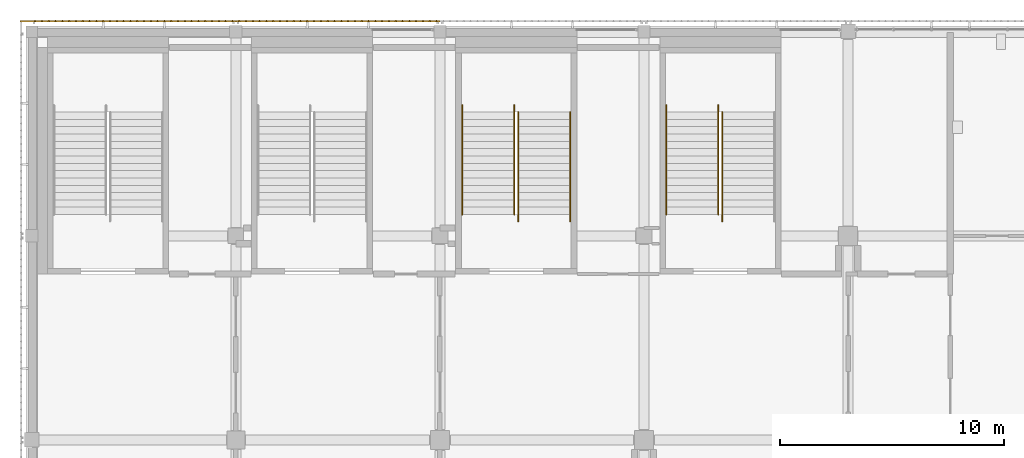
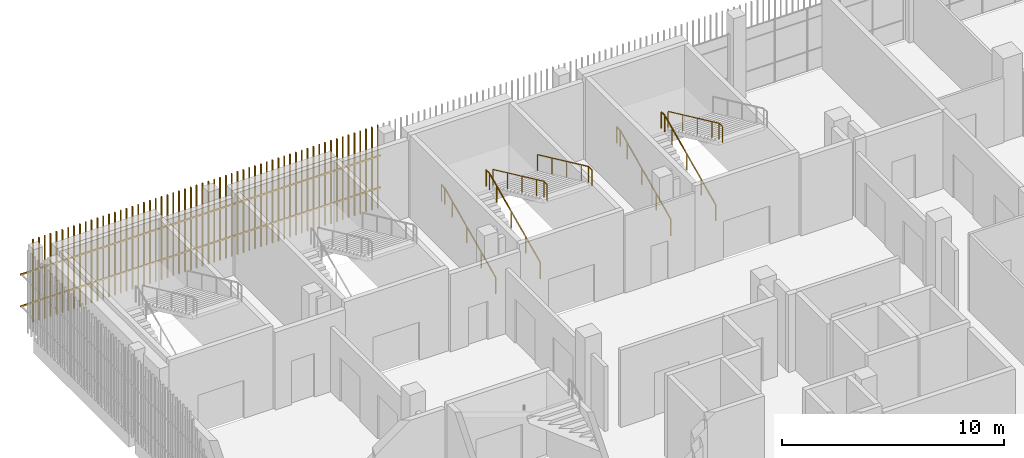
# One storey, part 115 of 126: 7 railings, 2 shading devices.
"""IFC4 building model written with IfcOpenShell, lengths in metres."""

from ifc_helpers import new_model, si_unit, direction, frame, origin, origin_2d, place, context, subcontext, project, spatial, rectangle, circle, extrude, material, type_object, element, save


model = new_model("IFC4")

# Units and contexts
model_context = context("Model", 3, precision=1e-05, world=origin(), true_north=direction((0.0, 1.0)))
body_context = subcontext(model_context, "Body", "Model", "MODEL_VIEW")
ifc_project = project(units=[si_unit("LENGTHUNIT", "METRE"), si_unit("AREAUNIT", "SQUARE_METRE"), si_unit("VOLUMEUNIT", "CUBIC_METRE"), si_unit("PLANEANGLEUNIT", "RADIAN"), si_unit("MASSUNIT", "GRAM", prefix="KILO")], contexts=[model_context])

# Site, building, storey
site_placement = place(None, origin())
site = spatial("IfcSite", under=ifc_project, at=site_placement, CompositionType="ELEMENT")
building_placement = place(site_placement, origin())
building = spatial("IfcBuilding", under=site, at=building_placement, Name="Shirokan Park Arena", CompositionType="ELEMENT")
storey_placement = place(building_placement, frame((0.0, 0.0, 6.3701171875)))
storey = spatial("IfcBuildingStorey", under=building, at=storey_placement, Name="L01", CompositionType="ELEMENT", Elevation=6.3701171875)

# Railings
ifc_material_1 = material(Name="Stainless steel", Category="steel")
railing_type = type_object("IfcRailingType", Name="Stair handrail 900", PredefinedType="HANDRAIL", material=ifc_material_1)
railing_1_placement = place(storey_placement, frame((19.18994140625, 101.050048828125, 0.151611328125)))
element("IfcRailing", 1, at=railing_1_placement, inside=storey, type_object=railing_type, Name="Handrail Exit Stair 4.C L01 to L02", PredefinedType="HANDRAIL", context=body_context, shape_type="SweptSolid", body=[
    extrude(circle(Radius=0.02392578125, at=origin_2d()), frame((0.0, 0.0, 0.8759765625), z_axis=(0.0, 0.906999720516, 0.421131222998), x_axis=(-1.0, 0.0, 0.0)), (0.0, 0.0, 1.0), 1.440673828125),
    extrude(circle(Radius=0.02392578125, at=origin_2d()), frame((0.0, 1.306640625, 1.482421875), z_axis=(0.0, 0.907029769225, 0.421066500378), x_axis=(-1.0, 0.0, 0.0)), (0.0, 0.0, 1.0), 1.44091796875),
    extrude(circle(Radius=0.02392578125, at=origin_2d()), frame((0.0, 2.613525390625, 2.08935546875), z_axis=(0.0, 0.907094476872, 0.420927083981), x_axis=(-1.0, 0.0, 0.0)), (0.0, 0.0, 1.0), 1.440673828125),
    extrude(circle(Radius=0.02392578125, at=origin_2d()), frame((0.0, 3.92041015625, 2.69580078125), z_axis=(0.0, 0.906934982928, 0.421270621741), x_axis=(-1.0, 0.0, 0.0)), (0.0, 0.0, 1.0), 0.720458984375),
    extrude(circle(Radius=0.02392578125, at=origin_2d()), frame((0.0, 4.57373046875, 2.9990234375), z_axis=(0.0, 1.0, 0.0), x_axis=(-1.0, 0.0, 0.0)), (0.0, 0.0, 1.0), 0.300048828125),
    extrude(circle(Radius=0.02099609375, at=origin_2d()), origin(), (0.0, 0.0, 1.0), 0.851806640625),
    extrude(circle(Radius=0.02099609375, at=origin_2d()), frame((0.0, 1.306640625, 0.606689453125)), (0.0, 0.0, 1.0), 0.851806640625),
    extrude(circle(Radius=0.02099609375, at=origin_2d()), frame((0.0, 2.613525390625, 1.21337890625)), (0.0, 0.0, 1.0), 0.851806640625),
    extrude(circle(Radius=0.02099609375, at=origin_2d()), frame((0.0, 3.92041015625, 1.81982421875)), (0.0, 0.0, 1.0), 0.851806640625),
    extrude(circle(Radius=0.02099609375, at=origin_2d()), frame((0.0, 4.57373046875, 2.123291015625)), (0.0, 0.0, 1.0), 0.851806640625),
    extrude(circle(Radius=0.02099609375, at=origin_2d()), frame((0.0, 4.873779296875, 2.123291015625)), (0.0, 0.0, 1.0), 0.851806640625),
])
railing_2_placement = place(storey_placement, frame((21.510009765625, 101.050048828125, 0.151611328125)))
element("IfcRailing", 2, at=railing_2_placement, inside=storey, type_object=railing_type, Name="Handrail Exit Stair 4.C L01 to L02", PredefinedType="HANDRAIL", context=body_context, shape_type="SweptSolid", body=[
    extrude(circle(Radius=0.02392578125, at=origin_2d()), frame((0.0, 0.0, 0.8759765625), z_axis=(0.0, 0.906999720516, 0.421131222998), x_axis=(-1.0, 0.0, 0.0)), (0.0, 0.0, 1.0), 1.440673828125),
    extrude(circle(Radius=0.02392578125, at=origin_2d()), frame((0.0, 1.306640625, 1.482421875), z_axis=(0.0, 0.907029769225, 0.421066500378), x_axis=(-1.0, 0.0, 0.0)), (0.0, 0.0, 1.0), 1.44091796875),
    extrude(circle(Radius=0.02392578125, at=origin_2d()), frame((0.0, 2.613525390625, 2.08935546875), z_axis=(0.0, 0.907094476872, 0.420927083981), x_axis=(-1.0, 0.0, 0.0)), (0.0, 0.0, 1.0), 1.440673828125),
    extrude(circle(Radius=0.02392578125, at=origin_2d()), frame((0.0, 3.92041015625, 2.69580078125), z_axis=(0.0, 0.906934982928, 0.421270621741), x_axis=(-1.0, 0.0, 0.0)), (0.0, 0.0, 1.0), 0.720458984375),
    extrude(circle(Radius=0.02392578125, at=origin_2d()), frame((0.0, 4.57373046875, 2.9990234375), z_axis=(0.0, 1.0, 0.0), x_axis=(-1.0, 0.0, 0.0)), (0.0, 0.0, 1.0), 0.300048828125),
    extrude(circle(Radius=0.02099609375, at=origin_2d()), origin(), (0.0, 0.0, 1.0), 0.851806640625),
    extrude(circle(Radius=0.02099609375, at=origin_2d()), frame((0.0, 1.306640625, 0.606689453125)), (0.0, 0.0, 1.0), 0.851806640625),
    extrude(circle(Radius=0.02099609375, at=origin_2d()), frame((0.0, 2.613525390625, 1.21337890625)), (0.0, 0.0, 1.0), 0.851806640625),
    extrude(circle(Radius=0.02099609375, at=origin_2d()), frame((0.0, 3.92041015625, 1.81982421875)), (0.0, 0.0, 1.0), 0.851806640625),
    extrude(circle(Radius=0.02099609375, at=origin_2d()), frame((0.0, 4.57373046875, 2.123291015625)), (0.0, 0.0, 1.0), 0.851806640625),
    extrude(circle(Radius=0.02099609375, at=origin_2d()), frame((0.0, 4.873779296875, 2.123291015625)), (0.0, 0.0, 1.0), 0.851806640625),
])
railing_3_placement = place(storey_placement, frame((21.68994140625, 105.623779296875, 2.426513671875)))
element("IfcRailing", 3, at=railing_3_placement, inside=storey, type_object=railing_type, Name="Handrail Exit Stair 4.C L01 to L02", PredefinedType="HANDRAIL", context=body_context, shape_type="SweptSolid", body=[
    extrude(circle(Radius=0.02392578125, at=origin_2d()), frame((0.0, 0.0, 0.8759765625), z_axis=(0.0, -0.907029769225, 0.421066500378), x_axis=(1.0, 0.0, 0.0)), (0.0, 0.0, 1.0), 1.44091796875),
    extrude(circle(Radius=0.02392578125, at=origin_2d()), frame((0.0, -1.306884765625, 1.482421875), z_axis=(0.0, -0.906999720516, 0.421131222998), x_axis=(1.0, 0.0, 0.0)), (0.0, 0.0, 1.0), 1.440673828125),
    extrude(circle(Radius=0.02392578125, at=origin_2d()), frame((0.0, -2.613525390625, 2.08935546875), z_axis=(0.0, -0.907029769225, 0.421066500378), x_axis=(1.0, 0.0, 0.0)), (0.0, 0.0, 1.0), 1.44091796875),
    extrude(circle(Radius=0.02392578125, at=origin_2d()), frame((0.0, -3.92041015625, 2.69580078125), z_axis=(0.0, -0.907064445915, 0.420991794405), x_axis=(1.0, 0.0, 0.0)), (0.0, 0.0, 1.0), 0.72021484375),
    extrude(circle(Radius=0.02392578125, at=origin_2d()), frame((0.0, -4.57373046875, 2.9990234375), z_axis=(0.0, -1.0, 0.0), x_axis=(1.0, 0.0, 0.0)), (0.0, 0.0, 1.0), 0.300048828125),
    extrude(circle(Radius=0.02099609375, at=origin_2d()), origin(), (0.0, 0.0, 1.0), 0.851806640625),
    extrude(circle(Radius=0.02099609375, at=origin_2d()), frame((0.0, -1.306884765625, 0.606689453125)), (0.0, 0.0, 1.0), 0.851806640625),
    extrude(circle(Radius=0.02099609375, at=origin_2d()), frame((0.0, -2.613525390625, 1.21337890625)), (0.0, 0.0, 1.0), 0.851806640625),
    extrude(circle(Radius=0.02099609375, at=origin_2d()), frame((0.0, -3.92041015625, 1.820068359375)), (0.0, 0.0, 1.0), 0.851806640625),
    extrude(circle(Radius=0.02099609375, at=origin_2d()), frame((0.0, -4.57373046875, 2.123291015625)), (0.0, 0.0, 1.0), 0.851806640625),
    extrude(circle(Radius=0.02099609375, at=origin_2d()), frame((0.0, -4.873779296875, 2.123291015625)), (0.0, 0.0, 1.0), 0.851806640625),
])
railing_4_placement = place(storey_placement, frame((24.010009765625, 105.623779296875, 2.426513671875)))
element("IfcRailing", 4, at=railing_4_placement, inside=storey, type_object=railing_type, Name="Handrail Exit Stair 4.C L01 to L02", PredefinedType="HANDRAIL", context=body_context, shape_type="SweptSolid", body=[
    extrude(circle(Radius=0.02392578125, at=origin_2d()), frame((0.0, 0.0, 0.8759765625), z_axis=(0.0, -0.907029769225, 0.421066500378), x_axis=(1.0, 0.0, 0.0)), (0.0, 0.0, 1.0), 1.44091796875),
    extrude(circle(Radius=0.02392578125, at=origin_2d()), frame((0.0, -1.306884765625, 1.482421875), z_axis=(0.0, -0.906999720516, 0.421131222998), x_axis=(1.0, 0.0, 0.0)), (0.0, 0.0, 1.0), 1.440673828125),
    extrude(circle(Radius=0.02392578125, at=origin_2d()), frame((0.0, -2.613525390625, 2.08935546875), z_axis=(0.0, -0.907029769225, 0.421066500378), x_axis=(1.0, 0.0, 0.0)), (0.0, 0.0, 1.0), 1.44091796875),
    extrude(circle(Radius=0.02392578125, at=origin_2d()), frame((0.0, -3.92041015625, 2.69580078125), z_axis=(0.0, -0.907064445915, 0.420991794405), x_axis=(1.0, 0.0, 0.0)), (0.0, 0.0, 1.0), 0.72021484375),
    extrude(circle(Radius=0.02392578125, at=origin_2d()), frame((0.0, -4.57373046875, 2.9990234375), z_axis=(0.0, -1.0, 0.0), x_axis=(1.0, 0.0, 0.0)), (0.0, 0.0, 1.0), 0.300048828125),
    extrude(circle(Radius=0.02099609375, at=origin_2d()), origin(), (0.0, 0.0, 1.0), 0.851806640625),
    extrude(circle(Radius=0.02099609375, at=origin_2d()), frame((0.0, -1.306884765625, 0.606689453125)), (0.0, 0.0, 1.0), 0.851806640625),
    extrude(circle(Radius=0.02099609375, at=origin_2d()), frame((0.0, -2.613525390625, 1.21337890625)), (0.0, 0.0, 1.0), 0.851806640625),
    extrude(circle(Radius=0.02099609375, at=origin_2d()), frame((0.0, -3.92041015625, 1.820068359375)), (0.0, 0.0, 1.0), 0.851806640625),
    extrude(circle(Radius=0.02099609375, at=origin_2d()), frame((0.0, -4.57373046875, 2.123291015625)), (0.0, 0.0, 1.0), 0.851806640625),
    extrude(circle(Radius=0.02099609375, at=origin_2d()), frame((0.0, -4.873779296875, 2.123291015625)), (0.0, 0.0, 1.0), 0.851806640625),
])
railing_5_placement = place(storey_placement, frame((28.2900390625, 101.050048828125, 0.151611328125)))
element("IfcRailing", 5, at=railing_5_placement, inside=storey, type_object=railing_type, Name="Handrail Exit Stair 4.D L01 to L02", PredefinedType="HANDRAIL", context=body_context, shape_type="SweptSolid", body=[
    extrude(circle(Radius=0.02392578125, at=origin_2d()), frame((0.0, 0.0, 0.8759765625), z_axis=(0.0, 0.906999720516, 0.421131222998), x_axis=(-1.0, 0.0, 0.0)), (0.0, 0.0, 1.0), 1.440673828125),
    extrude(circle(Radius=0.02392578125, at=origin_2d()), frame((0.0, 1.306640625, 1.482421875), z_axis=(0.0, 0.907029769225, 0.421066500378), x_axis=(-1.0, 0.0, 0.0)), (0.0, 0.0, 1.0), 1.44091796875),
    extrude(circle(Radius=0.02392578125, at=origin_2d()), frame((0.0, 2.613525390625, 2.08935546875), z_axis=(0.0, 0.907094476872, 0.420927083981), x_axis=(-1.0, 0.0, 0.0)), (0.0, 0.0, 1.0), 1.440673828125),
    extrude(circle(Radius=0.02392578125, at=origin_2d()), frame((0.0, 3.92041015625, 2.69580078125), z_axis=(0.0, 0.906934982928, 0.421270621741), x_axis=(-1.0, 0.0, 0.0)), (0.0, 0.0, 1.0), 0.720458984375),
    extrude(circle(Radius=0.02392578125, at=origin_2d()), frame((0.0, 4.57373046875, 2.9990234375), z_axis=(0.0, 1.0, 0.0), x_axis=(-1.0, 0.0, 0.0)), (0.0, 0.0, 1.0), 0.300048828125),
    extrude(circle(Radius=0.02099609375, at=origin_2d()), origin(), (0.0, 0.0, 1.0), 0.851806640625),
    extrude(circle(Radius=0.02099609375, at=origin_2d()), frame((0.0, 1.306640625, 0.606689453125)), (0.0, 0.0, 1.0), 0.851806640625),
    extrude(circle(Radius=0.02099609375, at=origin_2d()), frame((0.0, 2.613525390625, 1.21337890625)), (0.0, 0.0, 1.0), 0.851806640625),
    extrude(circle(Radius=0.02099609375, at=origin_2d()), frame((0.0, 3.92041015625, 1.81982421875)), (0.0, 0.0, 1.0), 0.851806640625),
    extrude(circle(Radius=0.02099609375, at=origin_2d()), frame((0.0, 4.57373046875, 2.123291015625)), (0.0, 0.0, 1.0), 0.851806640625),
    extrude(circle(Radius=0.02099609375, at=origin_2d()), frame((0.0, 4.873779296875, 2.123291015625)), (0.0, 0.0, 1.0), 0.851806640625),
])
railing_6_placement = place(storey_placement, frame((30.610107421875, 101.050048828125, 0.151611328125)))
element("IfcRailing", 6, at=railing_6_placement, inside=storey, type_object=railing_type, Name="Handrail Exit Stair 4.D L01 to L02", PredefinedType="HANDRAIL", context=body_context, shape_type="SweptSolid", body=[
    extrude(circle(Radius=0.02392578125, at=origin_2d()), frame((0.0, 0.0, 0.8759765625), z_axis=(0.0, 0.906999720516, 0.421131222998), x_axis=(-1.0, 0.0, 0.0)), (0.0, 0.0, 1.0), 1.440673828125),
    extrude(circle(Radius=0.02392578125, at=origin_2d()), frame((0.0, 1.306640625, 1.482421875), z_axis=(0.0, 0.907029769225, 0.421066500378), x_axis=(-1.0, 0.0, 0.0)), (0.0, 0.0, 1.0), 1.44091796875),
    extrude(circle(Radius=0.02392578125, at=origin_2d()), frame((0.0, 2.613525390625, 2.08935546875), z_axis=(0.0, 0.907094476872, 0.420927083981), x_axis=(-1.0, 0.0, 0.0)), (0.0, 0.0, 1.0), 1.440673828125),
    extrude(circle(Radius=0.02392578125, at=origin_2d()), frame((0.0, 3.92041015625, 2.69580078125), z_axis=(0.0, 0.906934982928, 0.421270621741), x_axis=(-1.0, 0.0, 0.0)), (0.0, 0.0, 1.0), 0.720458984375),
    extrude(circle(Radius=0.02392578125, at=origin_2d()), frame((0.0, 4.57373046875, 2.9990234375), z_axis=(0.0, 1.0, 0.0), x_axis=(-1.0, 0.0, 0.0)), (0.0, 0.0, 1.0), 0.300048828125),
    extrude(circle(Radius=0.02099609375, at=origin_2d()), origin(), (0.0, 0.0, 1.0), 0.851806640625),
    extrude(circle(Radius=0.02099609375, at=origin_2d()), frame((0.0, 1.306640625, 0.606689453125)), (0.0, 0.0, 1.0), 0.851806640625),
    extrude(circle(Radius=0.02099609375, at=origin_2d()), frame((0.0, 2.613525390625, 1.21337890625)), (0.0, 0.0, 1.0), 0.851806640625),
    extrude(circle(Radius=0.02099609375, at=origin_2d()), frame((0.0, 3.92041015625, 1.81982421875)), (0.0, 0.0, 1.0), 0.851806640625),
    extrude(circle(Radius=0.02099609375, at=origin_2d()), frame((0.0, 4.57373046875, 2.123291015625)), (0.0, 0.0, 1.0), 0.851806640625),
    extrude(circle(Radius=0.02099609375, at=origin_2d()), frame((0.0, 4.873779296875, 2.123291015625)), (0.0, 0.0, 1.0), 0.851806640625),
])
railing_7_placement = place(storey_placement, frame((30.7900390625, 105.623779296875, 2.426513671875)))
element("IfcRailing", 7, at=railing_7_placement, inside=storey, type_object=railing_type, Name="Handrail Exit Stair 4.D L01 to L02", PredefinedType="HANDRAIL", context=body_context, shape_type="SweptSolid", body=[
    extrude(circle(Radius=0.02392578125, at=origin_2d()), frame((0.0, 0.0, 0.8759765625), z_axis=(0.0, -0.907029769225, 0.421066500378), x_axis=(1.0, 0.0, 0.0)), (0.0, 0.0, 1.0), 1.44091796875),
    extrude(circle(Radius=0.02392578125, at=origin_2d()), frame((0.0, -1.306884765625, 1.482421875), z_axis=(0.0, -0.906999720516, 0.421131222998), x_axis=(1.0, 0.0, 0.0)), (0.0, 0.0, 1.0), 1.440673828125),
    extrude(circle(Radius=0.02392578125, at=origin_2d()), frame((0.0, -2.613525390625, 2.08935546875), z_axis=(0.0, -0.907029769225, 0.421066500378), x_axis=(1.0, 0.0, 0.0)), (0.0, 0.0, 1.0), 1.44091796875),
    extrude(circle(Radius=0.02392578125, at=origin_2d()), frame((0.0, -3.92041015625, 2.69580078125), z_axis=(0.0, -0.907064445915, 0.420991794405), x_axis=(1.0, 0.0, 0.0)), (0.0, 0.0, 1.0), 0.72021484375),
    extrude(circle(Radius=0.02392578125, at=origin_2d()), frame((0.0, -4.57373046875, 2.9990234375), z_axis=(0.0, -1.0, 0.0), x_axis=(1.0, 0.0, 0.0)), (0.0, 0.0, 1.0), 0.300048828125),
    extrude(circle(Radius=0.02099609375, at=origin_2d()), origin(), (0.0, 0.0, 1.0), 0.851806640625),
    extrude(circle(Radius=0.02099609375, at=origin_2d()), frame((0.0, -1.306884765625, 0.606689453125)), (0.0, 0.0, 1.0), 0.851806640625),
    extrude(circle(Radius=0.02099609375, at=origin_2d()), frame((0.0, -2.613525390625, 1.21337890625)), (0.0, 0.0, 1.0), 0.851806640625),
    extrude(circle(Radius=0.02099609375, at=origin_2d()), frame((0.0, -3.92041015625, 1.820068359375)), (0.0, 0.0, 1.0), 0.851806640625),
    extrude(circle(Radius=0.02099609375, at=origin_2d()), frame((0.0, -4.57373046875, 2.123291015625)), (0.0, 0.0, 1.0), 0.851806640625),
    extrude(circle(Radius=0.02099609375, at=origin_2d()), frame((0.0, -4.873779296875, 2.123291015625)), (0.0, 0.0, 1.0), 0.851806640625),
])

# Shading devices
ifc_material_2 = material(Name="Timber louvre veil (cedar)", Category="wood")
shading_device_type = type_object("IfcShadingDeviceType", Name="Timber louvre veil panel", PredefinedType="JALOUSIE", material=ifc_material_2)
shading_device_1_placement = place(storey_placement, origin())
element("IfcShadingDevice", 8, at=shading_device_1_placement, inside=storey, type_object=shading_device_type, Name="Timber louvre veil north bay 15 L01", PredefinedType="JALOUSIE", context=body_context, shape_type="SweptSolid", body=[
    extrude(rectangle(XDim=0.050048828125, YDim=0.080078125, at=origin_2d()), frame((18.04833984375, 109.68505859375, 0.0), z_axis=(0.0, 0.0, 1.0), x_axis=(-1.0, 0.0, 0.0)), (0.0, 0.0, 1.0), 4.550048828125),
    extrude(rectangle(XDim=0.050048828125, YDim=0.080078125, at=origin_2d()), frame((17.7451171875, 109.68505859375, 0.0), z_axis=(0.0, 0.0, 1.0), x_axis=(-1.0, 0.0, 0.0)), (0.0, 0.0, 1.0), 4.550048828125),
    extrude(rectangle(XDim=0.050048828125, YDim=0.080078125, at=origin_2d()), frame((17.441650390625, 109.68505859375, 0.0), z_axis=(0.0, 0.0, 1.0), x_axis=(-1.0, 0.0, 0.0)), (0.0, 0.0, 1.0), 4.550048828125),
    extrude(rectangle(XDim=0.050048828125, YDim=0.080078125, at=origin_2d()), frame((17.138427734375, 109.68505859375, 0.0), z_axis=(0.0, 0.0, 1.0), x_axis=(-1.0, 0.0, 0.0)), (0.0, 0.0, 1.0), 4.550048828125),
    extrude(rectangle(XDim=0.050048828125, YDim=0.080078125, at=origin_2d()), frame((16.8349609375, 109.68505859375, 0.0), z_axis=(0.0, 0.0, 1.0), x_axis=(-1.0, 0.0, 0.0)), (0.0, 0.0, 1.0), 4.550048828125),
    extrude(rectangle(XDim=0.050048828125, YDim=0.080078125, at=origin_2d()), frame((16.53173828125, 109.68505859375, 0.0), z_axis=(0.0, 0.0, 1.0), x_axis=(-1.0, 0.0, 0.0)), (0.0, 0.0, 1.0), 4.550048828125),
    extrude(rectangle(XDim=0.050048828125, YDim=0.080078125, at=origin_2d()), frame((16.228271484375, 109.68505859375, 0.0), z_axis=(0.0, 0.0, 1.0), x_axis=(-1.0, 0.0, 0.0)), (0.0, 0.0, 1.0), 4.550048828125),
    extrude(rectangle(XDim=0.050048828125, YDim=0.080078125, at=origin_2d()), frame((15.925048828125, 109.68505859375, 0.0), z_axis=(0.0, 0.0, 1.0), x_axis=(-1.0, 0.0, 0.0)), (0.0, 0.0, 1.0), 4.550048828125),
    extrude(rectangle(XDim=0.050048828125, YDim=0.080078125, at=origin_2d()), frame((15.62158203125, 109.68505859375, 0.0), z_axis=(0.0, 0.0, 1.0), x_axis=(-1.0, 0.0, 0.0)), (0.0, 0.0, 1.0), 4.550048828125),
    extrude(rectangle(XDim=0.050048828125, YDim=0.080078125, at=origin_2d()), frame((15.318359375, 109.68505859375, 0.0), z_axis=(0.0, 0.0, 1.0), x_axis=(-1.0, 0.0, 0.0)), (0.0, 0.0, 1.0), 4.550048828125),
    extrude(rectangle(XDim=0.050048828125, YDim=0.080078125, at=origin_2d()), frame((15.014892578125, 109.68505859375, 0.0), z_axis=(0.0, 0.0, 1.0), x_axis=(-1.0, 0.0, 0.0)), (0.0, 0.0, 1.0), 4.550048828125),
    extrude(rectangle(XDim=0.050048828125, YDim=0.080078125, at=origin_2d()), frame((14.711669921875, 109.68505859375, 0.0), z_axis=(0.0, 0.0, 1.0), x_axis=(-1.0, 0.0, 0.0)), (0.0, 0.0, 1.0), 4.550048828125),
    extrude(rectangle(XDim=0.050048828125, YDim=0.080078125, at=origin_2d()), frame((14.408447265625, 109.68505859375, 0.0), z_axis=(0.0, 0.0, 1.0), x_axis=(-1.0, 0.0, 0.0)), (0.0, 0.0, 1.0), 4.550048828125),
    extrude(rectangle(XDim=0.050048828125, YDim=0.080078125, at=origin_2d()), frame((14.10498046875, 109.68505859375, 0.0), z_axis=(0.0, 0.0, 1.0), x_axis=(-1.0, 0.0, 0.0)), (0.0, 0.0, 1.0), 4.550048828125),
    extrude(rectangle(XDim=0.050048828125, YDim=0.080078125, at=origin_2d()), frame((13.8017578125, 109.68505859375, 0.0), z_axis=(0.0, 0.0, 1.0), x_axis=(-1.0, 0.0, 0.0)), (0.0, 0.0, 1.0), 4.550048828125),
    extrude(rectangle(XDim=0.050048828125, YDim=0.080078125, at=origin_2d()), frame((13.498291015625, 109.68505859375, 0.0), z_axis=(0.0, 0.0, 1.0), x_axis=(-1.0, 0.0, 0.0)), (0.0, 0.0, 1.0), 4.550048828125),
    extrude(rectangle(XDim=0.050048828125, YDim=0.080078125, at=origin_2d()), frame((13.195068359375, 109.68505859375, 0.0), z_axis=(0.0, 0.0, 1.0), x_axis=(-1.0, 0.0, 0.0)), (0.0, 0.0, 1.0), 4.550048828125),
    extrude(rectangle(XDim=0.050048828125, YDim=0.080078125, at=origin_2d()), frame((12.8916015625, 109.68505859375, 0.0), z_axis=(0.0, 0.0, 1.0), x_axis=(-1.0, 0.0, 0.0)), (0.0, 0.0, 1.0), 4.550048828125),
    extrude(rectangle(XDim=0.050048828125, YDim=0.080078125, at=origin_2d()), frame((12.58837890625, 109.68505859375, 0.0), z_axis=(0.0, 0.0, 1.0), x_axis=(-1.0, 0.0, 0.0)), (0.0, 0.0, 1.0), 4.550048828125),
    extrude(rectangle(XDim=0.050048828125, YDim=0.080078125, at=origin_2d()), frame((12.284912109375, 109.68505859375, 0.0), z_axis=(0.0, 0.0, 1.0), x_axis=(-1.0, 0.0, 0.0)), (0.0, 0.0, 1.0), 4.550048828125),
    extrude(rectangle(XDim=0.050048828125, YDim=0.080078125, at=origin_2d()), frame((11.981689453125, 109.68505859375, 0.0), z_axis=(0.0, 0.0, 1.0), x_axis=(-1.0, 0.0, 0.0)), (0.0, 0.0, 1.0), 4.550048828125),
    extrude(rectangle(XDim=0.050048828125, YDim=0.080078125, at=origin_2d()), frame((11.67822265625, 109.68505859375, 0.0), z_axis=(0.0, 0.0, 1.0), x_axis=(-1.0, 0.0, 0.0)), (0.0, 0.0, 1.0), 4.550048828125),
    extrude(rectangle(XDim=0.050048828125, YDim=0.080078125, at=origin_2d()), frame((11.375, 109.68505859375, 0.0), z_axis=(0.0, 0.0, 1.0), x_axis=(-1.0, 0.0, 0.0)), (0.0, 0.0, 1.0), 4.550048828125),
    extrude(rectangle(XDim=0.050048828125, YDim=0.080078125, at=origin_2d()), frame((11.07177734375, 109.68505859375, 0.0), z_axis=(0.0, 0.0, 1.0), x_axis=(-1.0, 0.0, 0.0)), (0.0, 0.0, 1.0), 4.550048828125),
    extrude(rectangle(XDim=0.050048828125, YDim=0.080078125, at=origin_2d()), frame((10.768310546875, 109.68505859375, 0.0), z_axis=(0.0, 0.0, 1.0), x_axis=(-1.0, 0.0, 0.0)), (0.0, 0.0, 1.0), 4.550048828125),
    extrude(rectangle(XDim=0.050048828125, YDim=0.080078125, at=origin_2d()), frame((10.465087890625, 109.68505859375, 0.0), z_axis=(0.0, 0.0, 1.0), x_axis=(-1.0, 0.0, 0.0)), (0.0, 0.0, 1.0), 4.550048828125),
    extrude(rectangle(XDim=0.050048828125, YDim=0.080078125, at=origin_2d()), frame((10.16162109375, 109.68505859375, 0.0), z_axis=(0.0, 0.0, 1.0), x_axis=(-1.0, 0.0, 0.0)), (0.0, 0.0, 1.0), 4.550048828125),
    extrude(rectangle(XDim=0.050048828125, YDim=0.080078125, at=origin_2d()), frame((9.8583984375, 109.68505859375, 0.0), z_axis=(0.0, 0.0, 1.0), x_axis=(-1.0, 0.0, 0.0)), (0.0, 0.0, 1.0), 4.550048828125),
    extrude(rectangle(XDim=0.050048828125, YDim=0.080078125, at=origin_2d()), frame((9.554931640625, 109.68505859375, 0.0), z_axis=(0.0, 0.0, 1.0), x_axis=(-1.0, 0.0, 0.0)), (0.0, 0.0, 1.0), 4.550048828125),
    extrude(rectangle(XDim=0.050048828125, YDim=0.080078125, at=origin_2d()), frame((9.251708984375, 109.68505859375, 0.0), z_axis=(0.0, 0.0, 1.0), x_axis=(-1.0, 0.0, 0.0)), (0.0, 0.0, 1.0), 4.550048828125),
    extrude(rectangle(XDim=9.10009765625, YDim=0.050048828125, at=origin_2d()), frame((13.64990234375, 109.669921875, 1.059814453125), z_axis=(0.0, 0.0, 1.0), x_axis=(-1.0, 0.0, 0.0)), (0.0, 0.0, 1.0), 0.080078125),
    extrude(rectangle(XDim=9.10009765625, YDim=0.050048828125, at=origin_2d()), frame((13.64990234375, 109.669921875, 2.809814453125), z_axis=(0.0, 0.0, 1.0), x_axis=(-1.0, 0.0, 0.0)), (0.0, 0.0, 1.0), 0.080078125),
])
shading_device_2_placement = place(storey_placement, origin())
element("IfcShadingDevice", 9, at=shading_device_2_placement, inside=storey, type_object=shading_device_type, Name="Timber louvre veil north bay 16 L01", PredefinedType="JALOUSIE", context=body_context, shape_type="SweptSolid", body=[
    extrude(rectangle(XDim=0.050048828125, YDim=0.080078125, at=origin_2d()), frame((8.9482421875, 109.68505859375, 0.0), z_axis=(0.0, 0.0, 1.0), x_axis=(-1.0, 0.0, 0.0)), (0.0, 0.0, 1.0), 4.550048828125),
    extrude(rectangle(XDim=0.050048828125, YDim=0.080078125, at=origin_2d()), frame((8.64501953125, 109.68505859375, 0.0), z_axis=(0.0, 0.0, 1.0), x_axis=(-1.0, 0.0, 0.0)), (0.0, 0.0, 1.0), 4.550048828125),
    extrude(rectangle(XDim=0.050048828125, YDim=0.080078125, at=origin_2d()), frame((8.341552734375, 109.68505859375, 0.0), z_axis=(0.0, 0.0, 1.0), x_axis=(-1.0, 0.0, 0.0)), (0.0, 0.0, 1.0), 4.550048828125),
    extrude(rectangle(XDim=0.050048828125, YDim=0.080078125, at=origin_2d()), frame((8.038330078125, 109.68505859375, 0.0), z_axis=(0.0, 0.0, 1.0), x_axis=(-1.0, 0.0, 0.0)), (0.0, 0.0, 1.0), 4.550048828125),
    extrude(rectangle(XDim=0.050048828125, YDim=0.080078125, at=origin_2d()), frame((7.735107421875, 109.68505859375, 0.0), z_axis=(0.0, 0.0, 1.0), x_axis=(-1.0, 0.0, 0.0)), (0.0, 0.0, 1.0), 4.550048828125),
    extrude(rectangle(XDim=0.050048828125, YDim=0.080078125, at=origin_2d()), frame((7.431640625, 109.68505859375, 0.0), z_axis=(0.0, 0.0, 1.0), x_axis=(-1.0, 0.0, 0.0)), (0.0, 0.0, 1.0), 4.550048828125),
    extrude(rectangle(XDim=0.050048828125, YDim=0.080078125, at=origin_2d()), frame((7.12841796875, 109.68505859375, 0.0), z_axis=(0.0, 0.0, 1.0), x_axis=(-1.0, 0.0, 0.0)), (0.0, 0.0, 1.0), 4.550048828125),
    extrude(rectangle(XDim=0.050048828125, YDim=0.080078125, at=origin_2d()), frame((6.824951171875, 109.68505859375, 0.0), z_axis=(0.0, 0.0, 1.0), x_axis=(-1.0, 0.0, 0.0)), (0.0, 0.0, 1.0), 4.550048828125),
    extrude(rectangle(XDim=0.050048828125, YDim=0.080078125, at=origin_2d()), frame((6.521728515625, 109.68505859375, 0.0), z_axis=(0.0, 0.0, 1.0), x_axis=(-1.0, 0.0, 0.0)), (0.0, 0.0, 1.0), 4.550048828125),
    extrude(rectangle(XDim=0.050048828125, YDim=0.080078125, at=origin_2d()), frame((6.21826171875, 109.68505859375, 0.0), z_axis=(0.0, 0.0, 1.0), x_axis=(-1.0, 0.0, 0.0)), (0.0, 0.0, 1.0), 4.550048828125),
    extrude(rectangle(XDim=0.050048828125, YDim=0.080078125, at=origin_2d()), frame((5.9150390625, 109.68505859375, 0.0), z_axis=(0.0, 0.0, 1.0), x_axis=(-1.0, 0.0, 0.0)), (0.0, 0.0, 1.0), 4.550048828125),
    extrude(rectangle(XDim=0.050048828125, YDim=0.080078125, at=origin_2d()), frame((5.611572265625, 109.68505859375, 0.0), z_axis=(0.0, 0.0, 1.0), x_axis=(-1.0, 0.0, 0.0)), (0.0, 0.0, 1.0), 4.550048828125),
    extrude(rectangle(XDim=0.050048828125, YDim=0.080078125, at=origin_2d()), frame((5.308349609375, 109.68505859375, 0.0), z_axis=(0.0, 0.0, 1.0), x_axis=(-1.0, 0.0, 0.0)), (0.0, 0.0, 1.0), 4.550048828125),
    extrude(rectangle(XDim=0.050048828125, YDim=0.080078125, at=origin_2d()), frame((5.0048828125, 109.68505859375, 0.0), z_axis=(0.0, 0.0, 1.0), x_axis=(-1.0, 0.0, 0.0)), (0.0, 0.0, 1.0), 4.550048828125),
    extrude(rectangle(XDim=0.050048828125, YDim=0.080078125, at=origin_2d()), frame((4.70166015625, 109.68505859375, 0.0), z_axis=(0.0, 0.0, 1.0), x_axis=(-1.0, 0.0, 0.0)), (0.0, 0.0, 1.0), 4.550048828125),
    extrude(rectangle(XDim=0.050048828125, YDim=0.080078125, at=origin_2d()), frame((4.3984375, 109.68505859375, 0.0), z_axis=(0.0, 0.0, 1.0), x_axis=(-1.0, 0.0, 0.0)), (0.0, 0.0, 1.0), 4.550048828125),
    extrude(rectangle(XDim=0.050048828125, YDim=0.080078125, at=origin_2d()), frame((4.094970703125, 109.68505859375, 0.0), z_axis=(0.0, 0.0, 1.0), x_axis=(-1.0, 0.0, 0.0)), (0.0, 0.0, 1.0), 4.550048828125),
    extrude(rectangle(XDim=0.050048828125, YDim=0.080078125, at=origin_2d()), frame((3.791748046875, 109.68505859375, 0.0), z_axis=(0.0, 0.0, 1.0), x_axis=(-1.0, 0.0, 0.0)), (0.0, 0.0, 1.0), 4.550048828125),
    extrude(rectangle(XDim=0.050048828125, YDim=0.080078125, at=origin_2d()), frame((3.48828125, 109.68505859375, 0.0), z_axis=(0.0, 0.0, 1.0), x_axis=(-1.0, 0.0, 0.0)), (0.0, 0.0, 1.0), 4.550048828125),
    extrude(rectangle(XDim=0.050048828125, YDim=0.080078125, at=origin_2d()), frame((3.18505859375, 109.68505859375, 0.0), z_axis=(0.0, 0.0, 1.0), x_axis=(-1.0, 0.0, 0.0)), (0.0, 0.0, 1.0), 4.550048828125),
    extrude(rectangle(XDim=0.050048828125, YDim=0.080078125, at=origin_2d()), frame((2.881591796875, 109.68505859375, 0.0), z_axis=(0.0, 0.0, 1.0), x_axis=(-1.0, 0.0, 0.0)), (0.0, 0.0, 1.0), 4.550048828125),
    extrude(rectangle(XDim=0.050048828125, YDim=0.080078125, at=origin_2d()), frame((2.578369140625, 109.68505859375, 0.0), z_axis=(0.0, 0.0, 1.0), x_axis=(-1.0, 0.0, 0.0)), (0.0, 0.0, 1.0), 4.550048828125),
    extrude(rectangle(XDim=0.050048828125, YDim=0.080078125, at=origin_2d()), frame((2.27490234375, 109.68505859375, 0.0), z_axis=(0.0, 0.0, 1.0), x_axis=(-1.0, 0.0, 0.0)), (0.0, 0.0, 1.0), 4.550048828125),
    extrude(rectangle(XDim=0.050048828125, YDim=0.080078125, at=origin_2d()), frame((1.9716796875, 109.68505859375, 0.0), z_axis=(0.0, 0.0, 1.0), x_axis=(-1.0, 0.0, 0.0)), (0.0, 0.0, 1.0), 4.550048828125),
    extrude(rectangle(XDim=0.050048828125, YDim=0.080078125, at=origin_2d()), frame((1.668212890625, 109.68505859375, 0.0), z_axis=(0.0, 0.0, 1.0), x_axis=(-1.0, 0.0, 0.0)), (0.0, 0.0, 1.0), 4.550048828125),
    extrude(rectangle(XDim=0.050048828125, YDim=0.080078125, at=origin_2d()), frame((1.364990234375, 109.68505859375, 0.0), z_axis=(0.0, 0.0, 1.0), x_axis=(-1.0, 0.0, 0.0)), (0.0, 0.0, 1.0), 4.550048828125),
    extrude(rectangle(XDim=0.050048828125, YDim=0.080078125, at=origin_2d()), frame((1.061767578125, 109.68505859375, 0.0), z_axis=(0.0, 0.0, 1.0), x_axis=(-1.0, 0.0, 0.0)), (0.0, 0.0, 1.0), 4.550048828125),
    extrude(rectangle(XDim=0.050048828125, YDim=0.080078125, at=origin_2d()), frame((0.75830078125, 109.68505859375, 0.0), z_axis=(0.0, 0.0, 1.0), x_axis=(-1.0, 0.0, 0.0)), (0.0, 0.0, 1.0), 4.550048828125),
    extrude(rectangle(XDim=0.050048828125, YDim=0.080078125, at=origin_2d()), frame((0.455078125, 109.68505859375, 0.0), z_axis=(0.0, 0.0, 1.0), x_axis=(-1.0, 0.0, 0.0)), (0.0, 0.0, 1.0), 4.550048828125),
    extrude(rectangle(XDim=0.050048828125, YDim=0.080078125, at=origin_2d()), frame((0.151611328125, 109.68505859375, 0.0), z_axis=(0.0, 0.0, 1.0), x_axis=(-1.0, 0.0, 0.0)), (0.0, 0.0, 1.0), 4.550048828125),
    extrude(rectangle(XDim=9.625, YDim=0.050048828125, at=origin_2d()), frame((4.28759765625, 109.669921875, 1.059814453125), z_axis=(0.0, 0.0, 1.0), x_axis=(-1.0, 0.0, 0.0)), (0.0, 0.0, 1.0), 0.080078125),
    extrude(rectangle(XDim=9.625, YDim=0.050048828125, at=origin_2d()), frame((4.28759765625, 109.669921875, 2.809814453125), z_axis=(0.0, 0.0, 1.0), x_axis=(-1.0, 0.0, 0.0)), (0.0, 0.0, 1.0), 0.080078125),
])

save(model, "model.ifc")
